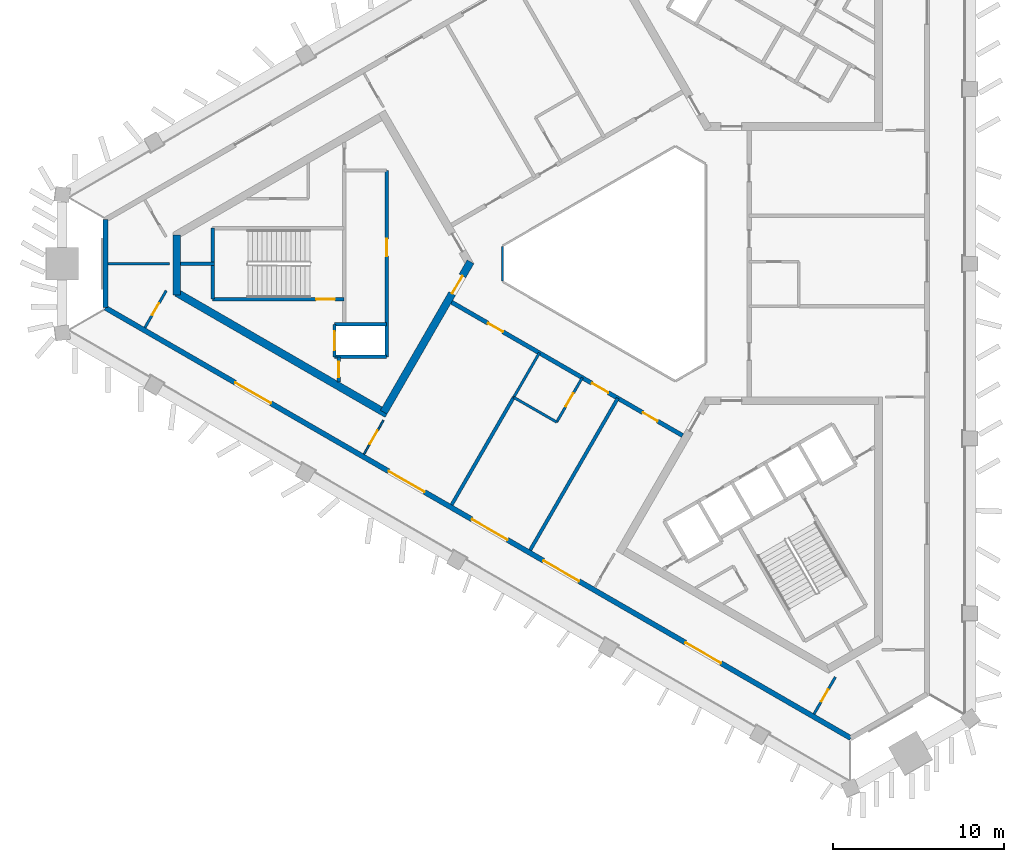
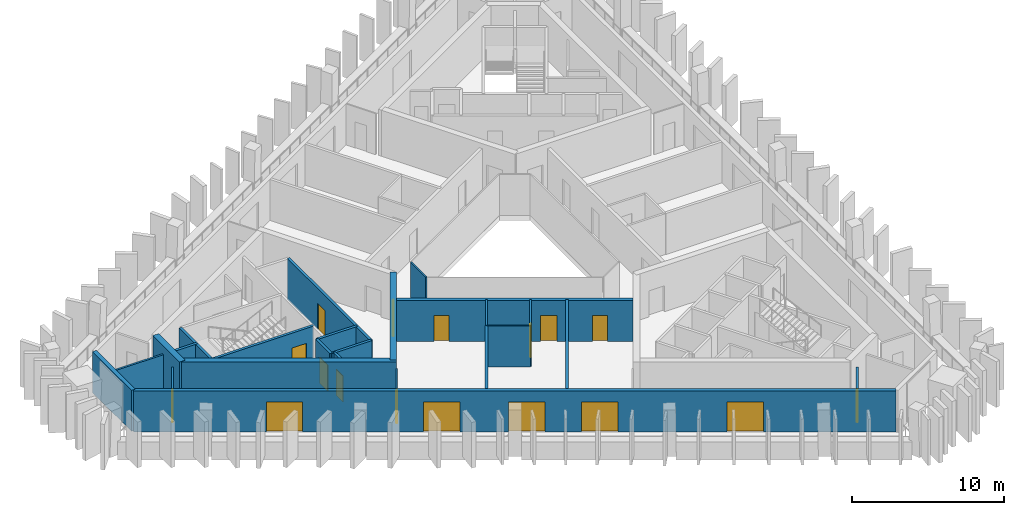
# One storey, part 2 of 9: 24 walls, 17 doors, 17 openings.
"""IFC4 building model written with IfcOpenShell, lengths in metres."""

from ifc_helpers import new_model, si_unit, direction, frame, frame_2d, origin, place, context, subcontext, project, spatial, rectangle, extrude, material, layer, layer_set, type_object, element, fill, save


model = new_model("IFC4")

# Units and contexts
model_context = context("Model", 3, precision=1e-05, world=origin(), true_north=direction((0.0, 1.0)))
body_context = subcontext(model_context, "Body", "Model", "MODEL_VIEW")
ifc_project = project(units=[si_unit("LENGTHUNIT", "METRE"), si_unit("AREAUNIT", "SQUARE_METRE"), si_unit("VOLUMEUNIT", "CUBIC_METRE"), si_unit("PLANEANGLEUNIT", "RADIAN"), si_unit("MASSUNIT", "GRAM", prefix="KILO")], contexts=[model_context])

# Site, building, storey
site_placement = place(None, origin())
site = spatial("IfcSite", under=ifc_project, at=site_placement, CompositionType="ELEMENT")
building_placement = place(site_placement, origin())
building = spatial("IfcBuilding", under=site, at=building_placement, Name="Jabali Bay Hotel Tower and Convention Centre", CompositionType="ELEMENT")
storey_placement = place(building_placement, frame((0.0, 0.0, 228.0)))
storey = spatial("IfcBuildingStorey", under=building, at=storey_placement, Name="L56", CompositionType="ELEMENT", Elevation=228.0)

# Walls
ifc_material_1 = material(Name="Fire-resistant glazing", Category="glass")
ifc_layer_1 = layer(ifc_material_1, 0.10009765625)
ifc_layer_set_1 = layer_set([ifc_layer_1], Name="Fire-resistant glazing")
wall_type_1 = type_object("IfcWallType", Name="Atrium glazed screen 100", PredefinedType="PARTITIONING", material=ifc_layer_set_1)
wall_1_placement = place(storey_placement, frame((67.672119140625, 81.0, 0.0), z_axis=(0.0, 0.0, 1.0), x_axis=(0.0, -1.0, 0.0)))
element("IfcWall", 1, at=wall_1_placement, inside=storey, type_object=wall_type_1, Name="Atrium screen 4 L56", PredefinedType="PARTITIONING", context=body_context, shape_type="SweptSolid", body=[
    extrude(rectangle(XDim=2.0, YDim=0.10009765625, at=frame_2d((1.0, 0.0))), origin(), (0.0, 0.0, 1.0), 3.300048828125),
])
ifc_material_2 = material(Name="Concrete C40", Category="concrete")
ifc_layer_2 = layer(ifc_material_2, 0.199951171875)
ifc_layer_set_2 = layer_set([ifc_layer_2], Name="Concrete C40")
wall_type_2 = type_object("IfcWallType", Name="Core partition wall 200", PredefinedType="PARTITIONING", material=ifc_layer_set_2)
wall_2_placement = place(storey_placement, frame((50.820068359375, 80.0, 0.0), z_axis=(0.0, 0.0, 1.0), x_axis=(-1.0, 0.0, 0.0)))
element("IfcWall", 2, at=wall_2_placement, inside=storey, type_object=wall_type_2, Name="Core wall 0.3 L56", PredefinedType="PARTITIONING", context=body_context, shape_type="SweptSolid", body=[
    extrude(rectangle(XDim=1.97314453125, YDim=0.199951171875, at=frame_2d((0.986572265625, 0.0))), origin(), (0.0, 0.0, 1.0), 3.300048828125),
])

# Wall, opening, door
wall_3_placement = place(storey_placement, frame((58.10009765625, 74.550048828125, 0.0), z_axis=(0.0, 0.0, 1.0), x_axis=(0.0, -1.0, 0.0)))
wall_3 = element("IfcWall", 3, at=wall_3_placement, inside=storey, type_object=wall_type_2, Name="Core wall 0.9 L56", PredefinedType="PARTITIONING", context=body_context, shape_type="SweptSolid", body=[
    extrude(rectangle(XDim=1.455078125, YDim=0.199951171875, at=frame_2d((0.7275390625, 0.0))), origin(), (0.0, 0.0, 1.0), 3.300048828125),
])
opening_1_placement = place(wall_3_placement, frame((0.277587890625, 0.0, 0.0)))
opening_1 = element("IfcOpeningElement", 4, at=opening_1_placement, cuts=wall_3, Name="Opening D1213", PredefinedType="OPENING", context=body_context, shape_type="SweptSolid", body=[
    extrude(rectangle(XDim=0.89990234375, YDim=2.10009765625, at=frame_2d((0.449951171875, 1.050048828125))), frame((0.0, 0.1103515625, 0.0), z_axis=(0.0, -1.0, 0.0), x_axis=(1.0, 0.0, 0.0)), (0.0, 0.0, 1.0), 0.220947265625),
])
ifc_material_3 = material(Name="Fire-rated steel door", Category="steel")
door_type_1 = type_object("IfcDoorType", Name="Vestibule fire door 900 x 2100", OperationType="NOTDEFINED", PredefinedType="NOTDEFINED", material=ifc_material_3)
door_1_placement = place(opening_1_placement, origin())
door_1 = element("IfcDoor", 5, at=door_1_placement, inside=storey, type_object=door_type_1, Name="Vestibule fire door D1213", OperationType="SINGLE_SWING_LEFT", OverallHeight=2.10009765625, OverallWidth=0.89990234375, PredefinedType="NOTDEFINED", context=body_context, shape_type="SweptSolid", body=[
    extrude(rectangle(XDim=0.89990234375, YDim=2.10009765625, at=frame_2d((0.449951171875, 1.050048828125))), frame((0.0, 0.02490234375, 0.0), z_axis=(0.0, -1.0, 0.0), x_axis=(1.0, 0.0, 0.0)), (0.0, 0.0, 1.0), 0.050048828125),
])
fill(opening_1, door_1)

ifc_layer_3 = layer(ifc_material_2, 0.199951171875)
ifc_layer_set_3 = layer_set([ifc_layer_3], Name="Concrete C40")
wall_type_3 = type_object("IfcWallType", Name="Core stair wall 200", PredefinedType="SOLIDWALL", material=ifc_layer_set_3)
wall_4_placement = place(storey_placement, frame((58.419921875, 77.925048828125, 0.0), z_axis=(0.0, 0.0, 1.0), x_axis=(-1.0, 0.0, 0.0)))
wall_4 = element("IfcWall", 6, at=wall_4_placement, inside=storey, type_object=wall_type_3, Name="Core wall 0.4 L56", PredefinedType="SOLIDWALL", context=body_context, shape_type="SweptSolid", body=[
    extrude(rectangle(XDim=7.699951171875, YDim=0.199951171875, at=frame_2d((3.85009765625, 0.0))), origin(), (0.0, 0.0, 1.0), 3.300048828125),
])
opening_2_placement = place(wall_4_placement, frame((0.550048828125, 0.0, 0.0)))
opening_2 = element("IfcOpeningElement", 7, at=opening_2_placement, cuts=wall_4, Name="Opening D1215", PredefinedType="OPENING", context=body_context, shape_type="SweptSolid", body=[
    extrude(rectangle(XDim=1.10009765625, YDim=2.10009765625, at=frame_2d((0.550048828125, 1.050048828125))), frame((0.0, 0.1103515625, 0.0), z_axis=(0.0, -1.0, 0.0), x_axis=(1.0, 0.0, 0.0)), (0.0, 0.0, 1.0), 0.220947265625),
])
door_type_2 = type_object("IfcDoorType", Name="Stair fire door 1100 x 2100", OperationType="NOTDEFINED", PredefinedType="NOTDEFINED", material=ifc_material_3)
door_2_placement = place(opening_2_placement, origin())
door_2 = element("IfcDoor", 8, at=door_2_placement, inside=storey, type_object=door_type_2, Name="Stair fire door D1215", OperationType="SINGLE_SWING_RIGHT", OverallHeight=2.10009765625, OverallWidth=1.10009765625, PredefinedType="NOTDEFINED", context=body_context, shape_type="SweptSolid", body=[
    extrude(rectangle(XDim=1.10009765625, YDim=2.10009765625, at=frame_2d((0.550048828125, 1.050048828125))), frame((0.0, 0.02490234375, 0.0), z_axis=(0.0, -1.0, 0.0), x_axis=(1.0, 0.0, 0.0)), (0.0, 0.0, 1.0), 0.050048828125),
])
fill(opening_2, door_2)

# Walls
for number, where, z_axis, x_axis, name in (
    (9, (60.89990234375, 76.449951171875, 0.0), (0.0, 0.0, 1.0), (-1.0, 0.0, 0.0), "Core wall 0.5 L56"),
    (10, (60.89990234375, 74.550048828125, 0.0), (0.0, 0.0, 1.0), (-1.0, 0.0, 0.0), "Core wall 0.6 L56"),
):
    element("IfcWall", number, at=place(storey_placement, frame(where, z_axis=z_axis, x_axis=x_axis)), inside=storey, type_object=wall_type_3, Name=name, PredefinedType="SOLIDWALL", context=body_context, shape_type="SweptSolid", body=[
        extrude(rectangle(XDim=3.0498046875, YDim=0.199951171875, at=frame_2d((1.52490234375, 0.0))), origin(), (0.0, 0.0, 1.0), 3.300048828125),
    ])

# Wall, opening, door
wall_5_placement = place(storey_placement, frame((60.89990234375, 85.449951171875, 0.0), z_axis=(0.0, 0.0, 1.0), x_axis=(0.0, -1.0, 0.0)))
wall_5 = element("IfcWall", 11, at=wall_5_placement, inside=storey, type_object=wall_type_3, Name="Core wall 0.7 L56", PredefinedType="SOLIDWALL", context=body_context, shape_type="SweptSolid", body=[
    extrude(rectangle(XDim=10.89990234375, YDim=0.199951171875, at=frame_2d((5.449951171875, 0.0))), origin(), (0.0, 0.0, 1.0), 3.300048828125),
])
opening_3_placement = place(wall_5_placement, frame((4.0, 0.0, 0.0)))
opening_3 = element("IfcOpeningElement", 12, at=opening_3_placement, cuts=wall_5, Name="Opening D1212", PredefinedType="OPENING", context=body_context, shape_type="SweptSolid", body=[
    extrude(rectangle(XDim=1.0, YDim=2.10009765625, at=frame_2d((0.5, 1.050048828125))), frame((0.0, 0.1103515625, 0.0), z_axis=(0.0, -1.0, 0.0), x_axis=(1.0, 0.0, 0.0)), (0.0, 0.0, 1.0), 0.220947265625),
])
door_type_3 = type_object("IfcDoorType", Name="Core room door 1000 x 2100", OperationType="NOTDEFINED", PredefinedType="NOTDEFINED", material=ifc_material_3)
door_3_placement = place(opening_3_placement, origin())
door_3 = element("IfcDoor", 13, at=door_3_placement, inside=storey, type_object=door_type_3, Name="Core room door D1212", OperationType="SINGLE_SWING_RIGHT", OverallHeight=2.10009765625, OverallWidth=1.0, PredefinedType="NOTDEFINED", context=body_context, shape_type="SweptSolid", body=[
    extrude(rectangle(XDim=1.0, YDim=2.10009765625, at=frame_2d((0.5, 1.050048828125))), frame((0.0, 0.02490234375, 0.0), z_axis=(0.0, -1.0, 0.0), x_axis=(1.0, 0.0, 0.0)), (0.0, 0.0, 1.0), 0.050048828125),
])
fill(opening_3, door_3)

wall_6_placement = place(storey_placement, frame((57.85009765625, 76.449951171875, 0.0), z_axis=(0.0, 0.0, 1.0), x_axis=(0.0, -1.0, 0.0)))
wall_6 = element("IfcWall", 14, at=wall_6_placement, inside=storey, type_object=wall_type_3, Name="Core wall 0.10 L56", PredefinedType="SOLIDWALL", context=body_context, shape_type="SweptSolid", body=[
    extrude(rectangle(XDim=1.89990234375, YDim=0.199951171875, at=frame_2d((0.949951171875, 0.0))), origin(), (0.0, 0.0, 1.0), 3.300048828125),
])
opening_4_placement = place(wall_6_placement, frame((0.39990234375, 0.0, 0.0)))
opening_4 = element("IfcOpeningElement", 15, at=opening_4_placement, cuts=wall_6, Name="Opening LD5-L56", PredefinedType="OPENING", context=body_context, shape_type="SweptSolid", body=[
    extrude(rectangle(XDim=1.10009765625, YDim=2.10009765625, at=frame_2d((0.550048828125, 1.050048828125))), frame((0.0, 0.1103515625, 0.0), z_axis=(0.0, -1.0, 0.0), x_axis=(1.0, 0.0, 0.0)), (0.0, 0.0, 1.0), 0.220947265625),
])
ifc_material_4 = material(Name="Stainless steel landing door", Category="steel")
door_type_4 = type_object("IfcDoorType", Name="Landing door 1100 x 2100", OperationType="NOTDEFINED", PredefinedType="NOTDEFINED", material=ifc_material_4)
door_4_placement = place(opening_4_placement, origin())
door_4 = element("IfcDoor", 16, at=door_4_placement, inside=storey, type_object=door_type_4, Name="Landing doors LD5-L56", OperationType="SLIDING_TO_RIGHT", OverallHeight=2.10009765625, OverallWidth=1.10009765625, PredefinedType="NOTDEFINED", context=body_context, shape_type="SweptSolid", body=[
    extrude(rectangle(XDim=1.10009765625, YDim=2.10009765625, at=frame_2d((0.550048828125, 1.050048828125))), frame((0.0, 0.02490234375, 0.0), z_axis=(0.0, -1.0, 0.0), x_axis=(1.0, 0.0, 0.0)), (0.0, 0.0, 1.0), 0.050048828125),
])
fill(opening_4, door_4)

# Walls
wall_7_placement = place(storey_placement, frame((50.719970703125, 82.074951171875, 0.0), z_axis=(0.0, 0.0, 1.0), x_axis=(0.0, -1.0, 0.0)))
element("IfcWall", 17, at=wall_7_placement, inside=storey, type_object=wall_type_3, Name="Core wall 0.12 L56", PredefinedType="SOLIDWALL", context=body_context, shape_type="SweptSolid", body=[
    extrude(rectangle(XDim=4.14990234375, YDim=0.199951171875, at=frame_2d((2.074951171875, 0.0))), origin(), (0.0, 0.0, 1.0), 3.300048828125),
])
ifc_material_5 = material(Name="Concrete C60", Category="concrete")
ifc_layer_4 = layer(ifc_material_5, 0.449951171875)
ifc_layer_set_4 = layer_set([ifc_layer_4], Name="Concrete C60")
wall_type_4 = type_object("IfcWallType", Name="Core wall 450", PredefinedType="SHEAR", material=ifc_layer_set_4)
wall_8_placement = place(storey_placement, frame((48.621826171875, 81.692626953125, 0.0), z_axis=(0.0, 0.0, 1.0), x_axis=(0.0, -1.0, 0.0)))
element("IfcWall", 18, at=wall_8_placement, inside=storey, type_object=wall_type_4, Name="Core wall 1.3 L56", PredefinedType="SHEAR", context=body_context, shape_type="SweptSolid", body=[
    extrude(rectangle(XDim=3.515380859375, YDim=0.449951171875, at=frame_2d((1.7578125, 0.0))), origin(), (0.0, 0.0, 1.0), 3.699951171875),
])
wall_9_placement = place(storey_placement, frame((48.621826171875, 78.307373046875, 0.0), z_axis=(0.0, 0.0, 1.0), x_axis=(0.86602701116, -0.499997215934, 0.0)))
element("IfcWall", 19, at=wall_9_placement, inside=storey, type_object=wall_type_4, Name="Core wall 1.4 L56", PredefinedType="SHEAR", context=body_context, shape_type="SweptSolid", body=[
    extrude(rectangle(XDim=14.20361328125, YDim=0.449951171875, at=frame_2d((7.101806640625, 0.0))), origin(), (0.0, 0.0, 1.0), 3.699951171875),
])

# Wall, opening, door
wall_10_placement = place(storey_placement, frame((60.7275390625, 71.318115234375, 0.0), z_axis=(0.0, 0.0, 1.0), x_axis=(0.500012416173, 0.866018235185, 0.0)))
wall_10 = element("IfcWall", 20, at=wall_10_placement, inside=storey, type_object=wall_type_4, Name="Core wall 1.5 L56", PredefinedType="SHEAR", context=body_context, shape_type="SweptSolid", body=[
    extrude(rectangle(XDim=10.155029296875, YDim=0.449951171875, at=frame_2d((5.07763671875, 0.0))), origin(), (0.0, 0.0, 1.0), 3.699951171875),
])
opening_5_placement = place(wall_10_placement, frame((8.0048828125, 0.0, 0.0)))
opening_5 = element("IfcOpeningElement", 21, at=opening_5_placement, cuts=wall_10, Name="Opening D1211", PredefinedType="OPENING", context=body_context, shape_type="SweptSolid", body=[
    extrude(rectangle(XDim=1.199951171875, YDim=2.10009765625, at=frame_2d((0.60009765625, 1.050048828125))), frame((0.0, 0.2353515625, 0.0), z_axis=(0.0, -1.0, 0.0), x_axis=(1.0, 0.0, 0.0)), (0.0, 0.0, 1.0), 0.470947265625),
])
door_type_5 = type_object("IfcDoorType", Name="Corridor end fire door 1200 x 2100", OperationType="NOTDEFINED", PredefinedType="NOTDEFINED", material=ifc_material_3)
door_5_placement = place(opening_5_placement, origin())
door_5 = element("IfcDoor", 22, at=door_5_placement, inside=storey, type_object=door_type_5, Name="Corridor end fire door D1211", OperationType="SINGLE_SWING_LEFT", OverallHeight=2.10009765625, OverallWidth=1.199951171875, PredefinedType="NOTDEFINED", context=body_context, shape_type="SweptSolid", body=[
    extrude(rectangle(XDim=1.199951171875, YDim=2.10009765625, at=frame_2d((0.60009765625, 1.050048828125))), frame((0.0, 0.02490234375, 0.0), z_axis=(0.0, -1.0, 0.0), x_axis=(1.0, 0.0, 0.0)), (0.0, 0.0, 1.0), 0.050048828125),
])
fill(opening_5, door_5)

# Wall, openings, doors
ifc_layer_5 = layer(ifc_material_5, 0.25)
ifc_layer_set_5 = layer_set([ifc_layer_5], Name="Concrete C60")
wall_type_5 = type_object("IfcWallType", Name="Corridor wall 250", PredefinedType="SHEAR", material=ifc_layer_set_5)
wall_11_placement = place(storey_placement, frame((64.699951171875, 77.748291015625, 0.0), z_axis=(0.0, 0.0, 1.0), x_axis=(0.866026492143, -0.499998114903, 0.0)))
wall_11 = element("IfcWall", 23, at=wall_11_placement, inside=storey, type_object=wall_type_5, Name="Corridor wall 3 L56", PredefinedType="SHEAR", context=body_context, shape_type="SweptSolid", body=[
    extrude(rectangle(XDim=15.58837890625, YDim=0.25, at=frame_2d((7.794189453125, 0.0))), origin(), (0.0, 0.0, 1.0), 3.300048828125),
])
opening_6_placement = place(wall_11_placement, frame((2.4619140625, 0.0, 0.0)))
opening_6 = element("IfcOpeningElement", 24, at=opening_6_placement, cuts=wall_11, Name="Opening 5617", PredefinedType="OPENING", context=body_context, shape_type="SweptSolid", body=[
    extrude(rectangle(XDim=1.0, YDim=2.10009765625, at=frame_2d((0.5, 1.050048828125))), frame((0.0, 0.135498046875, 0.0), z_axis=(0.0, -1.0, 0.0), x_axis=(1.0, 0.0, 0.0)), (0.0, 0.0, 1.0), 0.27099609375),
])
opening_7_placement = place(wall_11_placement, frame((9.4736328125, 0.0, 0.0)))
opening_7 = element("IfcOpeningElement", 25, at=opening_7_placement, cuts=wall_11, Name="Opening 5621", PredefinedType="OPENING", context=body_context, shape_type="SweptSolid", body=[
    extrude(rectangle(XDim=1.10009765625, YDim=2.10009765625, at=frame_2d((0.550048828125, 1.050048828125))), frame((0.0, 0.135498046875, 0.0), z_axis=(0.0, -1.0, 0.0), x_axis=(1.0, 0.0, 0.0)), (0.0, 0.0, 1.0), 0.27099609375),
])
opening_8_placement = place(wall_11_placement, frame((12.906005859375, 0.0, 0.0)))
opening_8 = element("IfcOpeningElement", 26, at=opening_8_placement, cuts=wall_11, Name="Opening 5622", PredefinedType="OPENING", context=body_context, shape_type="SweptSolid", body=[
    extrude(rectangle(XDim=1.0, YDim=2.10009765625, at=frame_2d((0.5, 1.050048828125))), frame((0.0, 0.135498046875, 0.0), z_axis=(0.0, -1.0, 0.0), x_axis=(1.0, 0.0, 0.0)), (0.0, 0.0, 1.0), 0.27099609375),
])
ifc_material_6 = material(Name="Timber", Category="wood")
door_type_6 = type_object("IfcDoorType", Name="Accessible guest room door 1100 x 2100", OperationType="NOTDEFINED", PredefinedType="NOTDEFINED", material=ifc_material_6)
door_6_placement = place(opening_7_placement, origin())
door_6 = element("IfcDoor", 27, at=door_6_placement, inside=storey, type_object=door_type_6, Name="Door 5621", OperationType="SINGLE_SWING_RIGHT", OverallHeight=2.10009765625, OverallWidth=1.10009765625, PredefinedType="NOTDEFINED", context=body_context, shape_type="SweptSolid", body=[
    extrude(rectangle(XDim=1.10009765625, YDim=2.10009765625, at=frame_2d((0.550048828125, 1.050048828125))), frame((0.0, 0.02490234375, 0.0), z_axis=(0.0, -1.0, 0.0), x_axis=(1.0, 0.0, 0.0)), (0.0, 0.0, 1.0), 0.050048828125),
])
fill(opening_7, door_6)
door_type_7 = type_object("IfcDoorType", Name="Guest room door 1000 x 2100", OperationType="NOTDEFINED", PredefinedType="NOTDEFINED", material=ifc_material_6)
door_7_placement = place(opening_6_placement, origin())
door_7 = element("IfcDoor", 28, at=door_7_placement, inside=storey, type_object=door_type_7, Name="Door 5617", OperationType="SINGLE_SWING_LEFT", OverallHeight=2.10009765625, OverallWidth=1.0, PredefinedType="NOTDEFINED", context=body_context, shape_type="SweptSolid", body=[
    extrude(rectangle(XDim=1.0, YDim=2.10009765625, at=frame_2d((0.5, 1.050048828125))), frame((0.0, 0.02490234375, 0.0), z_axis=(0.0, -1.0, 0.0), x_axis=(1.0, 0.0, 0.0)), (0.0, 0.0, 1.0), 0.050048828125),
])
fill(opening_6, door_7)
door_8_placement = place(opening_8_placement, origin())
door_8 = element("IfcDoor", 29, at=door_8_placement, inside=storey, type_object=door_type_7, Name="Door 5622", OperationType="SINGLE_SWING_RIGHT", OverallHeight=2.10009765625, OverallWidth=1.0, PredefinedType="NOTDEFINED", context=body_context, shape_type="SweptSolid", body=[
    extrude(rectangle(XDim=1.0, YDim=2.10009765625, at=frame_2d((0.5, 1.050048828125))), frame((0.0, 0.02490234375, 0.0), z_axis=(0.0, -1.0, 0.0), x_axis=(1.0, 0.0, 0.0)), (0.0, 0.0, 1.0), 0.050048828125),
])
fill(opening_8, door_8)

# Wall
ifc_layer_6 = layer(ifc_material_2, 0.300048828125)
ifc_layer_set_6 = layer_set([ifc_layer_6], Name="Concrete C40")
wall_type_6 = type_object("IfcWallType", Name="External wall 300", PredefinedType="SOLIDWALL", material=ifc_layer_set_6)
wall_12_placement = place(storey_placement, frame((44.4541015625, 77.425537109375, 0.0), z_axis=(0.0, 0.0, 1.0), x_axis=(0.0, 1.0, 0.0)))
element("IfcWall", 30, at=wall_12_placement, inside=storey, type_object=wall_type_6, Name="External wall west chamfer L56", PredefinedType="SOLIDWALL", context=body_context, shape_type="SweptSolid", body=[
    extrude(rectangle(XDim=5.14892578125, YDim=0.300048828125, at=frame_2d((2.574462890625, 0.0))), origin(), (0.0, 0.0, 1.0), 3.300048828125),
])

# Wall, openings, doors
wall_13_placement = place(storey_placement, frame((88.04345703125, 52.259033203125, 0.0), z_axis=(0.0, 0.0, 1.0), x_axis=(-0.86602387423, 0.500002649256, 0.0)))
wall_13 = element("IfcWall", 31, at=wall_13_placement, inside=storey, type_object=wall_type_6, Name="External wall south-west face L56", PredefinedType="SOLIDWALL", context=body_context, shape_type="SweptSolid", body=[
    extrude(rectangle(XDim=50.332763671875, YDim=0.300048828125, at=frame_2d((25.16650390625, 0.0))), origin(), (0.0, 0.0, 1.0), 3.300048828125),
])
opening_9_placement = place(wall_13_placement, frame((23.18701171875, 0.0, 0.0)))
opening_9 = element("IfcOpeningElement", 32, at=opening_9_placement, cuts=wall_13, Name="Opening SD1", PredefinedType="OPENING", context=body_context, shape_type="SweptSolid", body=[
    extrude(rectangle(XDim=2.39990234375, YDim=2.39990234375, at=frame_2d((1.199951171875, 1.199951171875))), frame((0.0, 0.16064453125, 0.0), z_axis=(0.0, -1.0, 0.0), x_axis=(1.0, 0.0, 0.0)), (0.0, 0.0, 1.0), 0.321044921875),
])
opening_10_placement = place(wall_13_placement, frame((28.798828125, 0.0, 0.0)))
opening_10 = element("IfcOpeningElement", 33, at=opening_10_placement, cuts=wall_13, Name="Opening SD1", PredefinedType="OPENING", context=body_context, shape_type="SweptSolid", body=[
    extrude(rectangle(XDim=2.39990234375, YDim=2.39990234375, at=frame_2d((1.199951171875, 1.199951171875))), frame((0.0, 0.16064453125, 0.0), z_axis=(0.0, -1.0, 0.0), x_axis=(1.0, 0.0, 0.0)), (0.0, 0.0, 1.0), 0.321044921875),
])
opening_11_placement = place(wall_13_placement, frame((39.164306640625, 0.0, 0.0)))
opening_11 = element("IfcOpeningElement", 34, at=opening_11_placement, cuts=wall_13, Name="Opening SD1", PredefinedType="OPENING", context=body_context, shape_type="SweptSolid", body=[
    extrude(rectangle(XDim=2.39990234375, YDim=2.39990234375, at=frame_2d((1.199951171875, 1.199951171875))), frame((0.0, 0.16064453125, 0.0), z_axis=(0.0, -1.0, 0.0), x_axis=(1.0, 0.0, 0.0)), (0.0, 0.0, 1.0), 0.321044921875),
])
opening_12_placement = place(wall_13_placement, frame((18.3544921875, 0.0, 0.0)))
opening_12 = element("IfcOpeningElement", 35, at=opening_12_placement, cuts=wall_13, Name="Opening SD1", PredefinedType="OPENING", context=body_context, shape_type="SweptSolid", body=[
    extrude(rectangle(XDim=2.39990234375, YDim=2.39990234375, at=frame_2d((1.199951171875, 1.199951171875))), frame((0.0, 0.16064453125, 0.0), z_axis=(0.0, -1.0, 0.0), x_axis=(1.0, 0.0, 0.0)), (0.0, 0.0, 1.0), 0.321044921875),
])
opening_13_placement = place(wall_13_placement, frame((8.76318359375, 0.0, 0.0)))
opening_13 = element("IfcOpeningElement", 36, at=opening_13_placement, cuts=wall_13, Name="Opening SD1", PredefinedType="OPENING", context=body_context, shape_type="SweptSolid", body=[
    extrude(rectangle(XDim=2.39990234375, YDim=2.39990234375, at=frame_2d((1.199951171875, 1.199951171875))), frame((0.0, 0.16064453125, 0.0), z_axis=(0.0, -1.0, 0.0), x_axis=(1.0, 0.0, 0.0)), (0.0, 0.0, 1.0), 0.321044921875),
])
ifc_material_7 = material(Name="Glass", Category="glass")
door_type_8 = type_object("IfcDoorType", Name="Loggia sliding door 2400 x 2400", OperationType="NOTDEFINED", PredefinedType="NOTDEFINED", material=ifc_material_7)
door_9_placement = place(opening_9_placement, origin())
door_9 = element("IfcDoor", 37, at=door_9_placement, inside=storey, type_object=door_type_8, Name="Loggia sliding door 5608", OperationType="SLIDING_TO_LEFT", OverallHeight=2.39990234375, OverallWidth=2.39990234375, PredefinedType="NOTDEFINED", context=body_context, shape_type="SweptSolid", body=[
    extrude(rectangle(XDim=2.39990234375, YDim=2.39990234375, at=frame_2d((1.199951171875, 1.199951171875))), frame((0.0, 0.02490234375, 0.0), z_axis=(0.0, -1.0, 0.0), x_axis=(1.0, 0.0, 0.0)), (0.0, 0.0, 1.0), 0.050048828125),
])
fill(opening_9, door_9)
door_10_placement = place(opening_10_placement, origin())
door_10 = element("IfcDoor", 38, at=door_10_placement, inside=storey, type_object=door_type_8, Name="Loggia sliding door 5607", OperationType="SLIDING_TO_RIGHT", OverallHeight=2.39990234375, OverallWidth=2.39990234375, PredefinedType="NOTDEFINED", context=body_context, shape_type="SweptSolid", body=[
    extrude(rectangle(XDim=2.39990234375, YDim=2.39990234375, at=frame_2d((1.199951171875, 1.199951171875))), frame((0.0, 0.02490234375, 0.0), z_axis=(0.0, -1.0, 0.0), x_axis=(1.0, 0.0, 0.0)), (0.0, 0.0, 1.0), 0.050048828125),
])
fill(opening_10, door_10)
door_11_placement = place(opening_11_placement, origin())
door_11 = element("IfcDoor", 39, at=door_11_placement, inside=storey, type_object=door_type_8, Name="Loggia sliding door 5607", OperationType="SLIDING_TO_LEFT", OverallHeight=2.39990234375, OverallWidth=2.39990234375, PredefinedType="NOTDEFINED", context=body_context, shape_type="SweptSolid", body=[
    extrude(rectangle(XDim=2.39990234375, YDim=2.39990234375, at=frame_2d((1.199951171875, 1.199951171875))), frame((0.0, 0.02490234375, 0.0), z_axis=(0.0, -1.0, 0.0), x_axis=(1.0, 0.0, 0.0)), (0.0, 0.0, 1.0), 0.050048828125),
])
fill(opening_11, door_11)
door_12_placement = place(opening_12_placement, origin())
door_12 = element("IfcDoor", 40, at=door_12_placement, inside=storey, type_object=door_type_8, Name="Loggia sliding door 5609", OperationType="SLIDING_TO_RIGHT", OverallHeight=2.39990234375, OverallWidth=2.39990234375, PredefinedType="NOTDEFINED", context=body_context, shape_type="SweptSolid", body=[
    extrude(rectangle(XDim=2.39990234375, YDim=2.39990234375, at=frame_2d((1.199951171875, 1.199951171875))), frame((0.0, 0.02490234375, 0.0), z_axis=(0.0, -1.0, 0.0), x_axis=(1.0, 0.0, 0.0)), (0.0, 0.0, 1.0), 0.050048828125),
])
fill(opening_12, door_12)
door_13_placement = place(opening_13_placement, origin())
door_13 = element("IfcDoor", 41, at=door_13_placement, inside=storey, type_object=door_type_8, Name="Loggia sliding door 5609", OperationType="SLIDING_TO_LEFT", OverallHeight=2.39990234375, OverallWidth=2.39990234375, PredefinedType="NOTDEFINED", context=body_context, shape_type="SweptSolid", body=[
    extrude(rectangle(XDim=2.39990234375, YDim=2.39990234375, at=frame_2d((1.199951171875, 1.199951171875))), frame((0.0, 0.02490234375, 0.0), z_axis=(0.0, -1.0, 0.0), x_axis=(1.0, 0.0, 0.0)), (0.0, 0.0, 1.0), 0.050048828125),
])
fill(opening_13, door_13)

# Wall, opening, door
ifc_material_8 = material(Name="Plasterboard on steel stud", Category="steel")
ifc_layer_7 = layer(ifc_material_8, 0.10009765625)
ifc_layer_set_7 = layer_set([ifc_layer_7], Name="Plasterboard on steel stud")
wall_type_7 = type_object("IfcWallType", Name="Partition 100 unit", PredefinedType="PARTITIONING", material=ifc_layer_set_7)
wall_14_placement = place(storey_placement, frame((60.71044921875, 70.83837890625, 0.0), z_axis=(0.0, 0.0, 1.0), x_axis=(-0.499948534732, -0.866055115232, 0.0)))
wall_14 = element("IfcWall", 42, at=wall_14_placement, inside=storey, type_object=wall_type_7, Name="Partition P02 L56 021", PredefinedType="PARTITIONING", context=body_context, shape_type="SweptSolid", body=[
    extrude(rectangle(XDim=2.274658203125, YDim=0.10009765625, at=frame_2d((1.13720703125, 0.0))), origin(), (0.0, 0.0, 1.0), 3.300048828125),
])
opening_14_placement = place(wall_14_placement, frame((0.68701171875, 0.0, 0.0)))
opening_14 = element("IfcOpeningElement", 43, at=opening_14_placement, cuts=wall_14, Name="Opening 5618", PredefinedType="OPENING", context=body_context, shape_type="SweptSolid", body=[
    extrude(rectangle(XDim=0.89990234375, YDim=2.10009765625, at=frame_2d((0.449951171875, 1.050048828125))), frame((0.0, 0.060546875, 0.0), z_axis=(0.0, -1.0, 0.0), x_axis=(1.0, 0.0, 0.0)), (0.0, 0.0, 1.0), 0.12109375),
])
door_type_9 = type_object("IfcDoorType", Name="Internal door 900 x 2100", OperationType="NOTDEFINED", PredefinedType="NOTDEFINED", material=ifc_material_6)
door_14_placement = place(opening_14_placement, origin())
door_14 = element("IfcDoor", 44, at=door_14_placement, inside=storey, type_object=door_type_9, Name="Door 5618", OperationType="SINGLE_SWING_LEFT", OverallHeight=2.10009765625, OverallWidth=0.89990234375, PredefinedType="NOTDEFINED", context=body_context, shape_type="SweptSolid", body=[
    extrude(rectangle(XDim=0.89990234375, YDim=2.10009765625, at=frame_2d((0.449951171875, 1.050048828125))), frame((0.0, 0.02490234375, 0.0), z_axis=(0.0, -1.0, 0.0), x_axis=(1.0, 0.0, 0.0)), (0.0, 0.0, 1.0), 0.050048828125),
])
fill(opening_14, door_14)

# Walls
ifc_layer_8 = layer(ifc_material_8, 0.14990234375)
ifc_layer_set_8 = layer_set([ifc_layer_8], Name="Plasterboard on steel stud")
wall_type_8 = type_object("IfcWallType", Name="Partition 150 wet", PredefinedType="PARTITIONING", material=ifc_layer_set_8)
wall_15_placement = place(storey_placement, frame((44.60302734375, 80.0009765625, 0.0), z_axis=(0.0, 0.0, 1.0), x_axis=(1.0, 0.0, 0.0)))
element("IfcWall", 45, at=wall_15_placement, inside=storey, type_object=wall_type_8, Name="Partition P03 L56 020", PredefinedType="PARTITIONING", context=body_context, shape_type="SweptSolid", body=[
    extrude(rectangle(XDim=3.594970703125, YDim=0.14990234375, at=frame_2d((1.79736328125, 0.0))), origin(), (0.0, 0.0, 1.0), 3.300048828125),
])
wall_16_placement = place(storey_placement, frame((68.330078125, 72.1884765625, 0.0), z_axis=(0.0, 0.0, 1.0), x_axis=(0.499990139034, 0.866031096941, 0.0)))
element("IfcWall", 46, at=wall_16_placement, inside=storey, type_object=wall_type_8, Name="Partition P03 L56 023", PredefinedType="PARTITIONING", context=body_context, shape_type="SweptSolid", body=[
    extrude(rectangle(XDim=3.0, YDim=0.14990234375, at=frame_2d((1.5, 0.0))), origin(), (0.0, 0.0, 1.0), 3.300048828125),
])

# Wall, opening, door
wall_17_placement = place(storey_placement, frame((48.01171875, 78.421630859375, 0.0), z_axis=(0.0, 0.0, 1.0), x_axis=(-0.500047477074, -0.865997991148, 0.0)))
wall_17 = element("IfcWall", 47, at=wall_17_placement, inside=storey, type_object=wall_type_8, Name="Partition P03 L56 024", PredefinedType="PARTITIONING", context=body_context, shape_type="SweptSolid", body=[
    extrude(rectangle(XDim=2.492431640625, YDim=0.14990234375, at=frame_2d((1.24609375, 0.0))), origin(), (0.0, 0.0, 1.0), 3.300048828125),
])
opening_15_placement = place(wall_17_placement, frame((0.845947265625, 0.0, 0.0)))
opening_15 = element("IfcOpeningElement", 48, at=opening_15_placement, cuts=wall_17, Name="Opening 5619", PredefinedType="OPENING", context=body_context, shape_type="SweptSolid", body=[
    extrude(rectangle(XDim=0.800048828125, YDim=2.10009765625, at=frame_2d((0.39990234375, 1.050048828125))), frame((0.0, 0.08544921875, 0.0), z_axis=(0.0, -1.0, 0.0), x_axis=(1.0, 0.0, 0.0)), (0.0, 0.0, 1.0), 0.1708984375),
])
door_type_10 = type_object("IfcDoorType", Name="En-suite door 800 x 2100", OperationType="NOTDEFINED", PredefinedType="NOTDEFINED", material=ifc_material_6)
door_15_placement = place(opening_15_placement, origin())
door_15 = element("IfcDoor", 49, at=door_15_placement, inside=storey, type_object=door_type_10, Name="Door 5619", OperationType="SINGLE_SWING_RIGHT", OverallHeight=2.10009765625, OverallWidth=0.800048828125, PredefinedType="NOTDEFINED", context=body_context, shape_type="SweptSolid", body=[
    extrude(rectangle(XDim=0.800048828125, YDim=2.10009765625, at=frame_2d((0.39990234375, 1.050048828125))), frame((0.0, 0.02490234375, 0.0), z_axis=(0.0, -1.0, 0.0), x_axis=(1.0, 0.0, 0.0)), (0.0, 0.0, 1.0), 0.050048828125),
])
fill(opening_15, door_15)

wall_18_placement = place(storey_placement, frame((72.341552734375, 73.33642578125, 0.0), z_axis=(0.0, 0.0, 1.0), x_axis=(-0.50002537861, -0.866010750942, 0.0)))
wall_18 = element("IfcWall", 50, at=wall_18_placement, inside=storey, type_object=wall_type_8, Name="Partition P03 L56 025", PredefinedType="PARTITIONING", context=body_context, shape_type="SweptSolid", body=[
    extrude(rectangle(XDim=2.999755859375, YDim=0.14990234375, at=frame_2d((1.5, 0.0))), origin(), (0.0, 0.0, 1.0), 3.300048828125),
])
opening_16_placement = place(wall_18_placement, frame((1.050048828125, 0.0, 0.0)))
opening_16 = element("IfcOpeningElement", 51, at=opening_16_placement, cuts=wall_18, Name="Opening 5620", PredefinedType="OPENING", context=body_context, shape_type="SweptSolid", body=[
    extrude(rectangle(XDim=0.89990234375, YDim=2.10009765625, at=frame_2d((0.449951171875, 1.050048828125))), frame((0.0, 0.08544921875, 0.0), z_axis=(0.0, -1.0, 0.0), x_axis=(1.0, 0.0, 0.0)), (0.0, 0.0, 1.0), 0.1708984375),
])
door_type_11 = type_object("IfcDoorType", Name="Accessible en-suite door 900 x 2100", OperationType="NOTDEFINED", PredefinedType="NOTDEFINED", material=ifc_material_6)
door_16_placement = place(opening_16_placement, origin())
door_16 = element("IfcDoor", 52, at=door_16_placement, inside=storey, type_object=door_type_11, Name="Door 5620", OperationType="SINGLE_SWING_LEFT", OverallHeight=2.10009765625, OverallWidth=0.89990234375, PredefinedType="NOTDEFINED", context=body_context, shape_type="SweptSolid", body=[
    extrude(rectangle(XDim=0.89990234375, YDim=2.10009765625, at=frame_2d((0.449951171875, 1.050048828125))), frame((0.0, 0.02490234375, 0.0), z_axis=(0.0, -1.0, 0.0), x_axis=(1.0, 0.0, 0.0)), (0.0, 0.0, 1.0), 0.050048828125),
])
fill(opening_16, door_16)

# Wall
wall_19_placement = place(storey_placement, frame((70.841552734375, 70.738525390625, 0.0), z_axis=(0.0, 0.0, 1.0), x_axis=(-0.866032775405, 0.499987231761, 0.0)))
element("IfcWall", 53, at=wall_19_placement, inside=storey, type_object=wall_type_8, Name="Partition P03 L56 026", PredefinedType="PARTITIONING", context=body_context, shape_type="SweptSolid", body=[
    extrude(rectangle(XDim=2.89990234375, YDim=0.14990234375, at=frame_2d((1.449951171875, 0.0))), origin(), (0.0, 0.0, 1.0), 3.300048828125),
])

# Wall, opening, door
wall_20_placement = place(storey_placement, frame((85.890380859375, 53.67431640625, 0.0), z_axis=(0.0, 0.0, 1.0), x_axis=(0.500047477074, 0.865997991148, 0.0)))
wall_20 = element("IfcWall", 54, at=wall_20_placement, inside=storey, type_object=wall_type_8, Name="Partition P03 L56 029", PredefinedType="PARTITIONING", context=body_context, shape_type="SweptSolid", body=[
    extrude(rectangle(XDim=2.492431640625, YDim=0.14990234375, at=frame_2d((1.24609375, 0.0))), origin(), (0.0, 0.0, 1.0), 3.300048828125),
])
opening_17_placement = place(wall_20_placement, frame((0.845947265625, 0.0, 0.0)))
opening_17 = element("IfcOpeningElement", 55, at=opening_17_placement, cuts=wall_20, Name="Opening 5624", PredefinedType="OPENING", context=body_context, shape_type="SweptSolid", body=[
    extrude(rectangle(XDim=0.800048828125, YDim=2.10009765625, at=frame_2d((0.39990234375, 1.050048828125))), frame((0.0, 0.08544921875, 0.0), z_axis=(0.0, -1.0, 0.0), x_axis=(1.0, 0.0, 0.0)), (0.0, 0.0, 1.0), 0.1708984375),
])
door_17_placement = place(opening_17_placement, origin())
door_17 = element("IfcDoor", 56, at=door_17_placement, inside=storey, type_object=door_type_10, Name="Door 5624", OperationType="SINGLE_SWING_RIGHT", OverallHeight=2.10009765625, OverallWidth=0.800048828125, PredefinedType="NOTDEFINED", context=body_context, shape_type="SweptSolid", body=[
    extrude(rectangle(XDim=0.800048828125, YDim=2.10009765625, at=frame_2d((0.39990234375, 1.050048828125))), frame((0.0, 0.02490234375, 0.0), z_axis=(0.0, -1.0, 0.0), x_axis=(1.0, 0.0, 0.0)), (0.0, 0.0, 1.0), 0.050048828125),
])
fill(opening_17, door_17)

# Walls
ifc_layer_9 = layer(ifc_material_8, 0.199951171875)
ifc_layer_set_9 = layer_set([ifc_layer_9], Name="Plasterboard on steel stud")
wall_type_9 = type_object("IfcWallType", Name="Partition 200 party", PredefinedType="PARTITIONING", material=ifc_layer_set_9)
wall_21_placement = place(storey_placement, frame((64.703125, 65.90673828125, 0.0), z_axis=(0.0, 0.0, 1.0), x_axis=(0.500019628412, 0.866014071019, 0.0)))
element("IfcWall", 57, at=wall_21_placement, inside=storey, type_object=wall_type_9, Name="Partition P01 L56 022", PredefinedType="PARTITIONING", context=body_context, shape_type="SweptSolid", body=[
    extrude(rectangle(XDim=7.253662109375, YDim=0.199951171875, at=frame_2d((3.626953125, 0.0))), origin(), (0.0, 0.0, 1.0), 3.300048828125),
])
wall_22_placement = place(storey_placement, frame((69.293212890625, 63.256591796875, 0.0), z_axis=(0.0, 0.0, 1.0), x_axis=(0.49999314277, 0.866029362772, 0.0)))
element("IfcWall", 58, at=wall_22_placement, inside=storey, type_object=wall_type_9, Name="Partition P01 L56 027", PredefinedType="PARTITIONING", context=body_context, shape_type="SweptSolid", body=[
    extrude(rectangle(XDim=10.253662109375, YDim=0.199951171875, at=frame_2d((5.126953125, 0.0))), origin(), (0.0, 0.0, 1.0), 3.300048828125),
])

save(model, "model.ifc")
